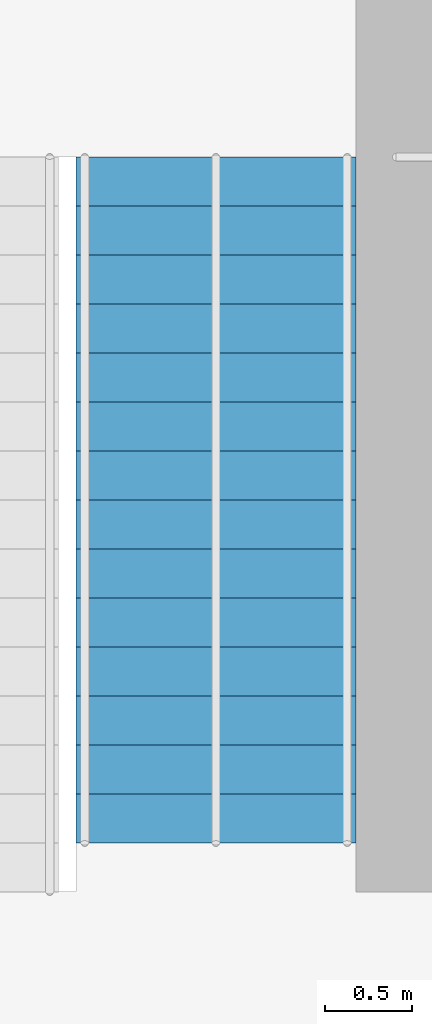
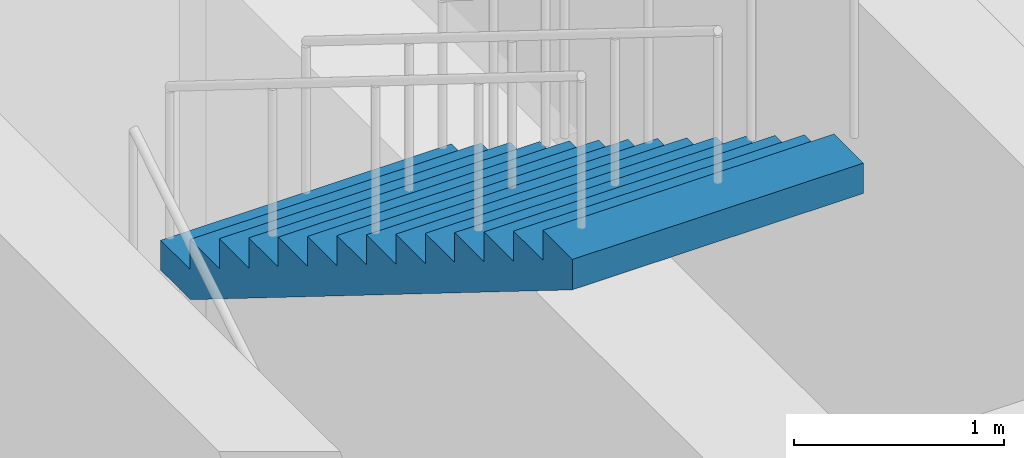
# One storey, part 38 of 53: 1 stair flight, 1 element without a shape of its own.
"""IFC4 building model written with IfcOpenShell, lengths in metres."""

from ifc_helpers import new_model, si_unit, direction, frame, origin, place, context, subcontext, project, spatial, polyline, outline, extrude, material, type_object, element, aggregate, save


model = new_model("IFC4")

# Units and contexts
model_context = context("Model", 3, precision=1e-05, world=origin(), true_north=direction((0.0, 1.0)))
body_context = subcontext(model_context, "Body", "Model", "MODEL_VIEW")
ifc_project = project(units=[si_unit("LENGTHUNIT", "METRE"), si_unit("AREAUNIT", "SQUARE_METRE"), si_unit("VOLUMEUNIT", "CUBIC_METRE"), si_unit("PLANEANGLEUNIT", "RADIAN"), si_unit("MASSUNIT", "GRAM", prefix="KILO")], contexts=[model_context])

# Site, building, storey
site_placement = place(None, origin())
site = spatial("IfcSite", under=ifc_project, at=site_placement, CompositionType="ELEMENT")
building_placement = place(site_placement, origin())
building = spatial("IfcBuilding", under=site, at=building_placement, Name="Aurelan Courthouse", CompositionType="ELEMENT")
storey_placement = place(building_placement, frame((0.0, 0.0, 12.0)))
storey = spatial("IfcBuildingStorey", under=building, at=storey_placement, Name="L02", CompositionType="ELEMENT", Elevation=12.0)

# Stair, stair flight
ifc_material = material(Name="Concrete C30", Category="concrete")
stair_type = type_object("IfcStairType", Name="Half-turn stair 1600 wide 31 risers", PredefinedType="HALF_TURN_STAIR", material=ifc_material)
stair_placement = place(storey_placement, origin())
stair = element("IfcStair", 1, at=stair_placement, inside=storey, type_object=stair_type, Name="Stair ST-3B-L02", PredefinedType="HALF_TURN_STAIR")
stair_flight_type = type_object("IfcStairFlightType", Name="Stair flight 1600 wide 16 risers", PredefinedType="STRAIGHT", material=ifc_material)
stair_flight_placement = place(storey_placement, frame((88.25, 63.159912109375, 2.787109375), z_axis=(0.0, 0.0, 1.0), x_axis=(0.0, -1.0, 0.0)))
stair_flight = element("IfcStairFlight", 2, at=stair_flight_placement, type_object=stair_flight_type, Name="Stair ST-3B-L02 flight 2", NumberOfRisers=15, NumberOfTreads=14, PredefinedType="STRAIGHT", RiserHeight=0.174193548, TreadLength=0.28, context=body_context, shape_type="SweptSolid", body=[
    extrude(outline(polyline([(0.0, 0.0), (0.0, 0.174072265625), (0.280029296875, 0.174072265625), (0.280029296875, 0.348388671875), (0.56005859375, 0.348388671875), (0.56005859375, 0.5224609375), (0.840087890625, 0.5224609375), (0.840087890625, 0.69677734375), (1.1201171875, 0.69677734375), (1.1201171875, 0.870849609375), (1.39990234375, 0.870849609375), (1.39990234375, 1.045166015625), (1.679931640625, 1.045166015625), (1.679931640625, 1.21923828125), (1.9599609375, 1.21923828125), (1.9599609375, 1.3935546875), (2.239990234375, 1.3935546875), (2.239990234375, 1.567626953125), (2.52001953125, 1.567626953125), (2.52001953125, 1.741943359375), (2.800048828125, 1.741943359375), (2.800048828125, 1.916015625), (3.080078125, 1.916015625), (3.080078125, 2.09033203125), (3.360107421875, 2.09033203125), (3.360107421875, 2.264404296875), (3.639892578125, 2.264404296875), (3.639892578125, 2.438720703125), (3.919921875, 2.438720703125), (3.919921875, 2.61279296875), (3.919921875, 2.26220703125), (0.28369140625, 0.0), (0.0, 0.0)])), frame((0.0, 0.800048828125, 0.0), z_axis=(0.0, -1.0, 0.0), x_axis=(1.0, 0.0, 0.0)), (0.0, 0.0, 1.0), 1.60009765625),
])
aggregate(stair, [stair_flight])

save(model, "model.ifc")
